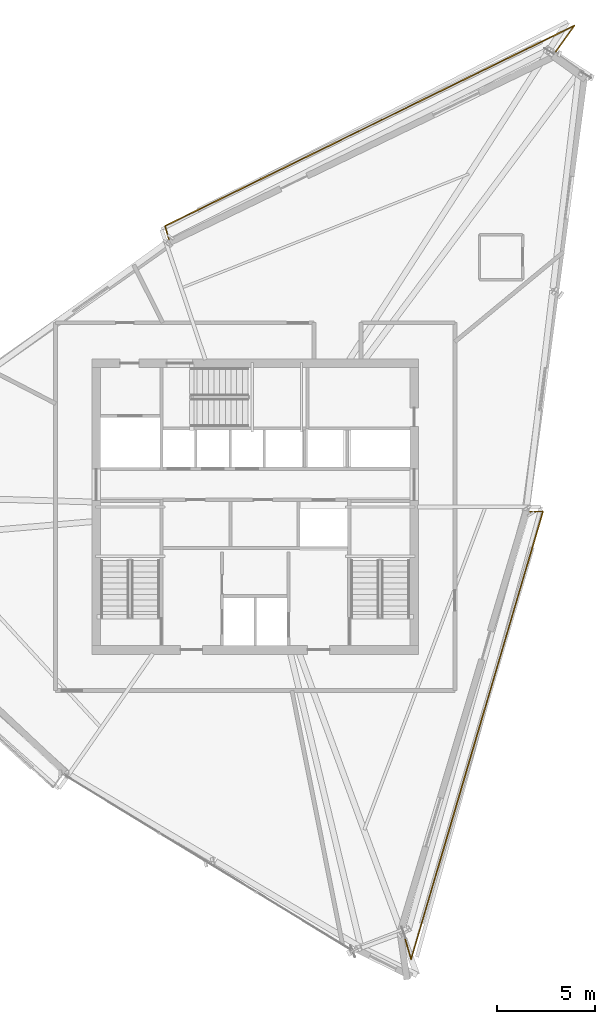
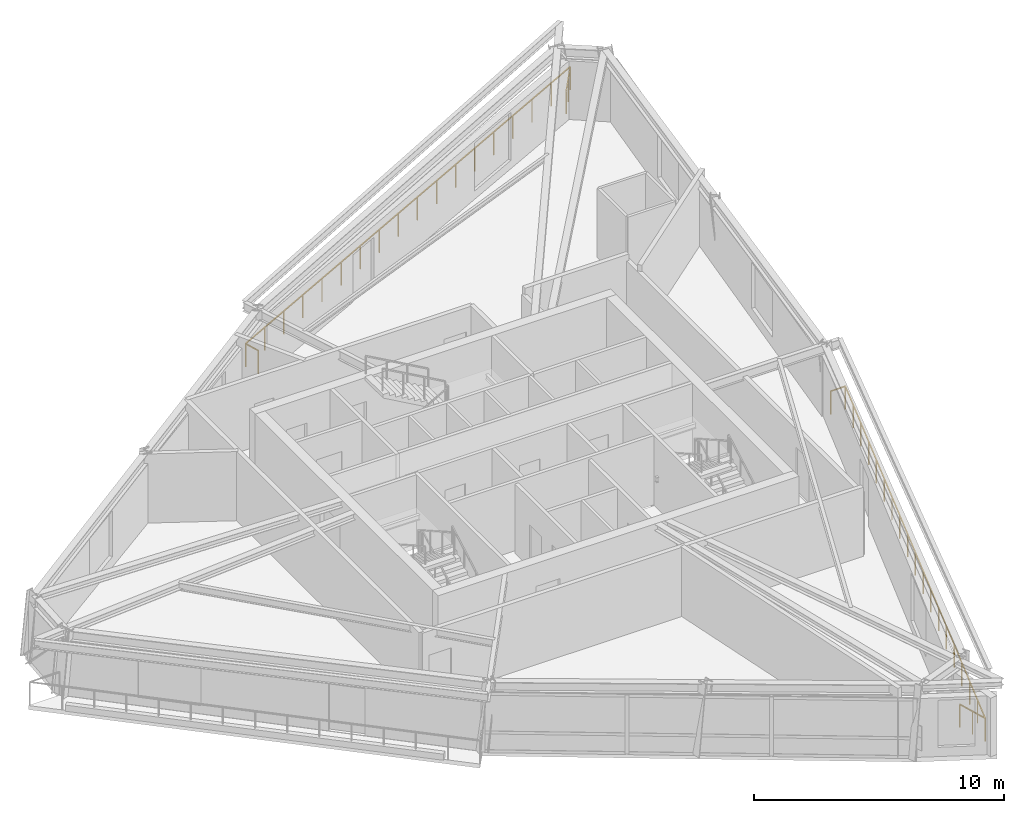
# One storey, part 14 of 14: 2 railings.
"""IFC4 building model written with IfcOpenShell, lengths in metres."""

from ifc_helpers import new_model, si_unit, direction, frame, origin, origin_2d, place, context, subcontext, project, spatial, rectangle, extrude, material, type_object, element, save


model = new_model("IFC4")

# Units and contexts
model_context = context("Model", 3, precision=1e-05, world=origin(), true_north=direction((0.0, 1.0)))
body_context = subcontext(model_context, "Body", "Model", "MODEL_VIEW")
ifc_project = project(units=[si_unit("LENGTHUNIT", "METRE"), si_unit("AREAUNIT", "SQUARE_METRE"), si_unit("VOLUMEUNIT", "CUBIC_METRE"), si_unit("PLANEANGLEUNIT", "RADIAN"), si_unit("MASSUNIT", "GRAM", prefix="KILO")], contexts=[model_context])

# Site, building, storey
site_placement = place(None, origin())
site = spatial("IfcSite", under=ifc_project, at=site_placement, CompositionType="ELEMENT")
building_placement = place(site_placement, origin())
building = spatial("IfcBuilding", under=site, at=building_placement, Name="Olszyna Solenne Hotel", CompositionType="ELEMENT")
storey_placement = place(building_placement, frame((0.0, 0.0, 256.10009765625)))
storey = spatial("IfcBuildingStorey", under=building, at=storey_placement, Name="L68", CompositionType="ELEMENT", Elevation=256.10009765625)

# Railings
ifc_material = material(Name="Anodised bronze aluminium", Category="aluminium")
railing_type = type_object("IfcRailingType", Name="GR-110", PredefinedType="BALUSTRADE", material=ifc_material)
railing_1_placement = place(storey_placement, frame((53.32861328125, 49.80859375, 0.0)))
element("IfcRailing", 1, at=railing_1_placement, inside=storey, type_object=railing_type, Name="Loggia balcony balustrade guard GR-L68-LG1", PredefinedType="BALUSTRADE", context=body_context, shape_type="SweptSolid", body=[
    extrude(rectangle(XDim=0.048095703125, YDim=0.048095703125, at=origin_2d()), frame((0.0, 0.0, 1.1259765625), z_axis=(0.581770376149, 0.813353077965, 0.0), x_axis=(-0.813353077965, 0.581770376149, 0.0)), (0.0, 0.0, 1.0), 1.692138671875),
    extrude(rectangle(XDim=0.048095703125, YDim=0.048095703125, at=origin_2d()), frame((0.984375, 1.376220703125, 1.1259765625), z_axis=(-0.898145230805, -0.439698924701, 0.0), x_axis=(0.439698924701, -0.898145230805, 0.0)), (0.0, 0.0, 1.0), 23.297607421875),
    extrude(rectangle(XDim=0.048095703125, YDim=0.048095703125, at=origin_2d()), frame((-19.940185546875, -8.86767578125, 1.1259765625), z_axis=(0.278492696276, -0.960438346861, 0.0), x_axis=(0.960438346861, 0.278492696276, 0.0)), (0.0, 0.0, 1.0), 0.709228515625),
    extrude(rectangle(XDim=0.0419921875, YDim=0.0419921875, at=origin_2d()), origin(), (0.0, 0.0, 1.0), 1.101806640625),
    extrude(rectangle(XDim=0.0419921875, YDim=0.0419921875, at=origin_2d()), frame((0.4921875, 0.68798828125, 0.0)), (0.0, 0.0, 1.0), 1.101806640625),
    extrude(rectangle(XDim=0.0419921875, YDim=0.0419921875, at=origin_2d()), frame((0.984375, 1.376220703125, 0.0)), (0.0, 0.0, 1.0), 1.101806640625),
    extrude(rectangle(XDim=0.0419921875, YDim=0.0419921875, at=origin_2d()), frame((-0.24658203125, 0.773681640625, 0.0)), (0.0, 0.0, 1.0), 1.101806640625),
    extrude(rectangle(XDim=0.0419921875, YDim=0.0419921875, at=origin_2d()), frame((-1.477294921875, 0.171142578125, 0.0)), (0.0, 0.0, 1.0), 1.101806640625),
    extrude(rectangle(XDim=0.0419921875, YDim=0.0419921875, at=origin_2d()), frame((-2.708251953125, -0.431640625, 0.0)), (0.0, 0.0, 1.0), 1.101806640625),
    extrude(rectangle(XDim=0.0419921875, YDim=0.0419921875, at=origin_2d()), frame((-3.93896484375, -1.0341796875, 0.0)), (0.0, 0.0, 1.0), 1.101806640625),
    extrude(rectangle(XDim=0.0419921875, YDim=0.0419921875, at=origin_2d()), frame((-5.169921875, -1.63671875, 0.0)), (0.0, 0.0, 1.0), 1.101806640625),
    extrude(rectangle(XDim=0.0419921875, YDim=0.0419921875, at=origin_2d()), frame((-6.40087890625, -2.2392578125, 0.0)), (0.0, 0.0, 1.0), 1.101806640625),
    extrude(rectangle(XDim=0.0419921875, YDim=0.0419921875, at=origin_2d()), frame((-7.631591796875, -2.841796875, 0.0)), (0.0, 0.0, 1.0), 1.101806640625),
    extrude(rectangle(XDim=0.0419921875, YDim=0.0419921875, at=origin_2d()), frame((-8.862548828125, -3.4443359375, 0.0)), (0.0, 0.0, 1.0), 1.101806640625),
    extrude(rectangle(XDim=0.0419921875, YDim=0.0419921875, at=origin_2d()), frame((-10.09326171875, -4.047119140625, 0.0)), (0.0, 0.0, 1.0), 1.101806640625),
    extrude(rectangle(XDim=0.0419921875, YDim=0.0419921875, at=origin_2d()), frame((-11.32421875, -4.649658203125, 0.0)), (0.0, 0.0, 1.0), 1.101806640625),
    extrude(rectangle(XDim=0.0419921875, YDim=0.0419921875, at=origin_2d()), frame((-12.554931640625, -5.252197265625, 0.0)), (0.0, 0.0, 1.0), 1.101806640625),
    extrude(rectangle(XDim=0.0419921875, YDim=0.0419921875, at=origin_2d()), frame((-13.785888671875, -5.854736328125, 0.0)), (0.0, 0.0, 1.0), 1.101806640625),
    extrude(rectangle(XDim=0.0419921875, YDim=0.0419921875, at=origin_2d()), frame((-15.016845703125, -6.457275390625, 0.0)), (0.0, 0.0, 1.0), 1.101806640625),
    extrude(rectangle(XDim=0.0419921875, YDim=0.0419921875, at=origin_2d()), frame((-16.24755859375, -7.059814453125, 0.0)), (0.0, 0.0, 1.0), 1.101806640625),
    extrude(rectangle(XDim=0.0419921875, YDim=0.0419921875, at=origin_2d()), frame((-17.478515625, -7.66259765625, 0.0)), (0.0, 0.0, 1.0), 1.101806640625),
    extrude(rectangle(XDim=0.0419921875, YDim=0.0419921875, at=origin_2d()), frame((-18.709228515625, -8.26513671875, 0.0)), (0.0, 0.0, 1.0), 1.101806640625),
    extrude(rectangle(XDim=0.0419921875, YDim=0.0419921875, at=origin_2d()), frame((-19.940185546875, -8.86767578125, 0.0)), (0.0, 0.0, 1.0), 1.101806640625),
    extrude(rectangle(XDim=0.0419921875, YDim=0.0419921875, at=origin_2d()), frame((-19.74267578125, -9.548828125, 0.0)), (0.0, 0.0, 1.0), 1.101806640625),
])
railing_2_placement = place(storey_placement, frame((45.566162109375, 4.83447265625, 0.0)))
element("IfcRailing", 2, at=railing_2_placement, inside=storey, type_object=railing_type, Name="Loggia balcony balustrade guard GR-L68-LG3", PredefinedType="BALUSTRADE", context=body_context, shape_type="SweptSolid", body=[
    extrude(rectangle(XDim=0.048095703125, YDim=0.048095703125, at=origin_2d()), frame((0.0, 0.0, 1.1259765625), z_axis=(0.278287903628, -0.96049770572, 0.0), x_axis=(0.96049770572, 0.278287903628, 0.0)), (0.0, 0.0, 1.0), 1.418701171875),
    extrude(rectangle(XDim=0.048095703125, YDim=0.048095703125, at=origin_2d()), frame((0.394775390625, -1.362548828125, 1.1259765625), z_axis=(0.282623418377, 0.959230943717, 0.0), x_axis=(-0.959230943717, 0.282623418377, 0.0)), (0.0, 0.0, 1.0), 23.85498046875),
    extrude(rectangle(XDim=0.048095703125, YDim=0.048095703125, at=origin_2d()), frame((7.13671875, 21.519775390625, 1.1259765625), z_axis=(-0.999950849871, -0.00991452684, 0.0), x_axis=(0.00991452684, -0.999950849871, 0.0)), (0.0, 0.0, 1.0), 0.689453125),
    extrude(rectangle(XDim=0.0419921875, YDim=0.0419921875, at=origin_2d()), origin(), (0.0, 0.0, 1.0), 1.101806640625),
    extrude(rectangle(XDim=0.0419921875, YDim=0.0419921875, at=origin_2d()), frame((0.197265625, -0.68115234375, 0.0)), (0.0, 0.0, 1.0), 1.101806640625),
    extrude(rectangle(XDim=0.0419921875, YDim=0.0419921875, at=origin_2d()), frame((0.394775390625, -1.362548828125, 0.0)), (0.0, 0.0, 1.0), 1.101806640625),
    extrude(rectangle(XDim=0.0419921875, YDim=0.0419921875, at=origin_2d()), frame((0.769287109375, -0.09130859375, 0.0)), (0.0, 0.0, 1.0), 1.101806640625),
    extrude(rectangle(XDim=0.0419921875, YDim=0.0419921875, at=origin_2d()), frame((1.143798828125, 1.179931640625, 0.0)), (0.0, 0.0, 1.0), 1.101806640625),
    extrude(rectangle(XDim=0.0419921875, YDim=0.0419921875, at=origin_2d()), frame((1.5185546875, 2.451171875, 0.0)), (0.0, 0.0, 1.0), 1.101806640625),
    extrude(rectangle(XDim=0.0419921875, YDim=0.0419921875, at=origin_2d()), frame((1.89306640625, 3.722412109375, 0.0)), (0.0, 0.0, 1.0), 1.101806640625),
    extrude(rectangle(XDim=0.0419921875, YDim=0.0419921875, at=origin_2d()), frame((2.267578125, 4.99365234375, 0.0)), (0.0, 0.0, 1.0), 1.101806640625),
    extrude(rectangle(XDim=0.0419921875, YDim=0.0419921875, at=origin_2d()), frame((2.64208984375, 6.264892578125, 0.0)), (0.0, 0.0, 1.0), 1.101806640625),
    extrude(rectangle(XDim=0.0419921875, YDim=0.0419921875, at=origin_2d()), frame((3.0166015625, 7.5361328125, 0.0)), (0.0, 0.0, 1.0), 1.101806640625),
    extrude(rectangle(XDim=0.0419921875, YDim=0.0419921875, at=origin_2d()), frame((3.39111328125, 8.807373046875, 0.0)), (0.0, 0.0, 1.0), 1.101806640625),
    extrude(rectangle(XDim=0.0419921875, YDim=0.0419921875, at=origin_2d()), frame((3.765625, 10.07861328125, 0.0)), (0.0, 0.0, 1.0), 1.101806640625),
    extrude(rectangle(XDim=0.0419921875, YDim=0.0419921875, at=origin_2d()), frame((4.140380859375, 11.349853515625, 0.0)), (0.0, 0.0, 1.0), 1.101806640625),
    extrude(rectangle(XDim=0.0419921875, YDim=0.0419921875, at=origin_2d()), frame((4.514892578125, 12.62109375, 0.0)), (0.0, 0.0, 1.0), 1.101806640625),
    extrude(rectangle(XDim=0.0419921875, YDim=0.0419921875, at=origin_2d()), frame((4.889404296875, 13.892333984375, 0.0)), (0.0, 0.0, 1.0), 1.101806640625),
    extrude(rectangle(XDim=0.0419921875, YDim=0.0419921875, at=origin_2d()), frame((5.263916015625, 15.16357421875, 0.0)), (0.0, 0.0, 1.0), 1.101806640625),
    extrude(rectangle(XDim=0.0419921875, YDim=0.0419921875, at=origin_2d()), frame((5.638427734375, 16.434814453125, 0.0)), (0.0, 0.0, 1.0), 1.101806640625),
    extrude(rectangle(XDim=0.0419921875, YDim=0.0419921875, at=origin_2d()), frame((6.01318359375, 17.7060546875, 0.0)), (0.0, 0.0, 1.0), 1.101806640625),
    extrude(rectangle(XDim=0.0419921875, YDim=0.0419921875, at=origin_2d()), frame((6.3876953125, 18.977294921875, 0.0)), (0.0, 0.0, 1.0), 1.101806640625),
    extrude(rectangle(XDim=0.0419921875, YDim=0.0419921875, at=origin_2d()), frame((6.76220703125, 20.24853515625, 0.0)), (0.0, 0.0, 1.0), 1.101806640625),
    extrude(rectangle(XDim=0.0419921875, YDim=0.0419921875, at=origin_2d()), frame((7.13671875, 21.519775390625, 0.0)), (0.0, 0.0, 1.0), 1.101806640625),
    extrude(rectangle(XDim=0.0419921875, YDim=0.0419921875, at=origin_2d()), frame((6.447265625, 21.512939453125, 0.0)), (0.0, 0.0, 1.0), 1.101806640625),
])

save(model, "model.ifc")
